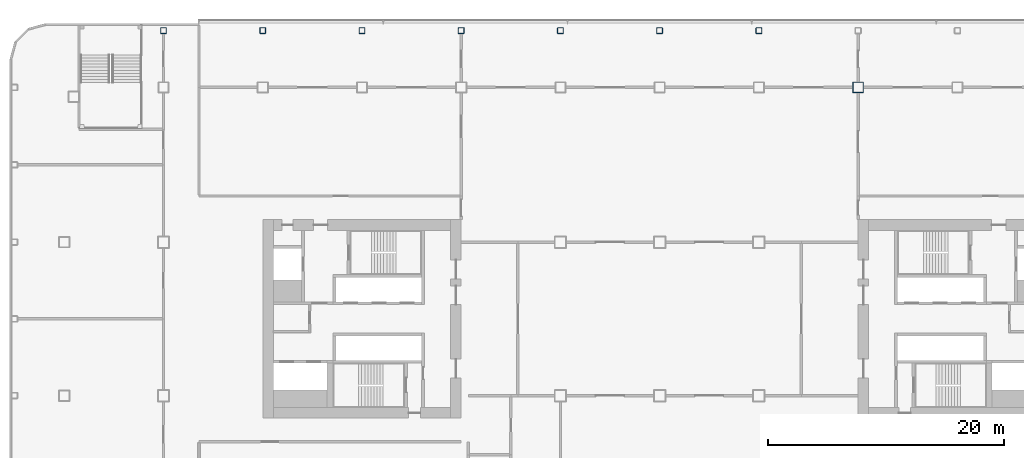
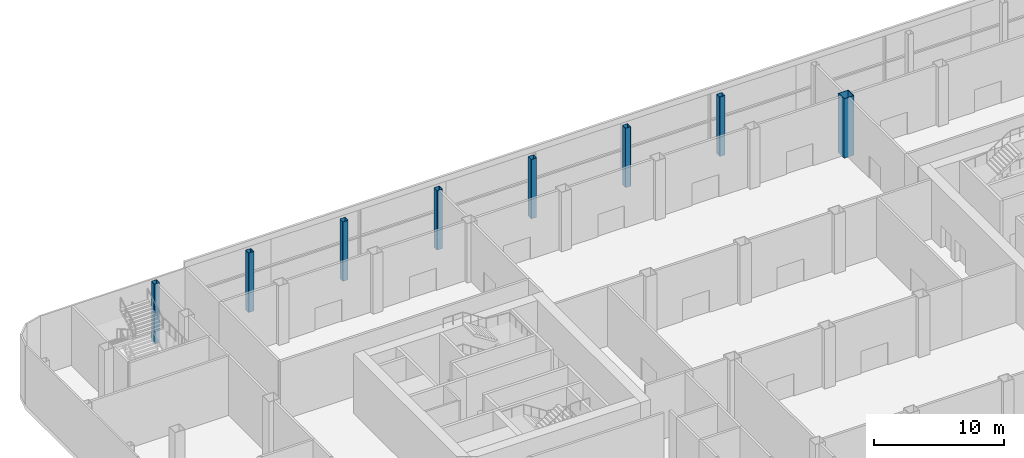
# One storey, part 5 of 100: 8 columns.
"""IFC4 building model written with IfcOpenShell, lengths in metres."""

from ifc_helpers import new_model, si_unit, direction, frame, origin, origin_2d, place, context, subcontext, project, spatial, hollow_rectangle, extrude, material, material_profile, profile_set, type_object, element, save


model = new_model("IFC4")

# Units and contexts
model_context = context("Model", 3, precision=1e-05, world=origin(), true_north=direction((0.0, 1.0)))
body_context = subcontext(model_context, "Body", "Model", "MODEL_VIEW")
ifc_project = project(units=[si_unit("LENGTHUNIT", "METRE"), si_unit("AREAUNIT", "SQUARE_METRE"), si_unit("VOLUMEUNIT", "CUBIC_METRE"), si_unit("PLANEANGLEUNIT", "RADIAN"), si_unit("MASSUNIT", "GRAM", prefix="KILO")], contexts=[model_context])

# Site, building, storey
site_placement = place(None, origin())
site = spatial("IfcSite", under=ifc_project, at=site_placement, CompositionType="ELEMENT")
building_placement = place(site_placement, origin())
building = spatial("IfcBuilding", under=site, at=building_placement, Name="Hakoniwa Tower and Hamabe Station Hall", CompositionType="ELEMENT")
storey_placement = place(building_placement, frame((0.0, 0.0, 9.0)))
storey = spatial("IfcBuildingStorey", under=building, at=storey_placement, Name="L02", CompositionType="ELEMENT", Elevation=9.0)

# Columns
ifc_material_1 = material(Name="Steel BCR295", Category="steel")
ifc_material_profile_1 = material_profile(ifc_material_1, hollow_rectangle(XDim=0.5, YDim=0.5, WallThickness=0.01904296875, InnerFilletRadius=0.028564453125, OuterFilletRadius=0.047607421875, at=origin_2d()), Name="BCR-500x500x19")
ifc_profile_set_1 = profile_set([ifc_material_profile_1], Name="Steel BCR295")
column_type_1 = type_object("IfcColumnType", Name="COLUMN BCR-500x500x19", PredefinedType="COLUMN", material=ifc_profile_set_1)
for number, where, z_axis, x_axis, name in (
    (1, (-42.0, 24.39990234375, 0.0), (0.0, 0.0, 1.0), (1.0, 0.0, 0.0), "Column P-2-RN"),
    (2, (-33.60009765625, 24.39990234375, 0.0), (0.0, 0.0, 1.0), (1.0, 0.0, 0.0), "Column P-3-RN"),
    (3, (-25.199951171875, 24.39990234375, 0.0), (0.0, 0.0, 1.0), (1.0, 0.0, 0.0), "Column P-4-RN"),
    (4, (-16.800048828125, 24.39990234375, 0.0), (0.0, 0.0, 1.0), (1.0, 0.0, 0.0), "Column P-5-RN"),
    (5, (-8.39990234375, 24.39990234375, 0.0), (0.0, 0.0, 1.0), (1.0, 0.0, 0.0), "Column P-6-RN"),
    (6, (0.0, 24.39990234375, 0.0), (0.0, 0.0, 1.0), (1.0, 0.0, 0.0), "Column P-7-RN"),
    (7, (8.39990234375, 24.39990234375, 0.0), (0.0, 0.0, 1.0), (1.0, 0.0, 0.0), "Column P-8-RN"),
):
    element("IfcColumn", number, at=place(storey_placement, frame(where, z_axis=z_axis, x_axis=x_axis)), inside=storey, type_object=column_type_1, Name=name, PredefinedType="COLUMN", context=body_context, shape_type="SweptSolid", body=[
        extrude(hollow_rectangle(XDim=0.5, YDim=0.5, WallThickness=0.01904296875, InnerFilletRadius=0.028564453125, OuterFilletRadius=0.047607421875, at=origin_2d()), origin(), (0.0, 0.0, 1.0), 5.60009765625),
    ])
ifc_material_2 = material(Name="Steel SN490C", Category="steel")
ifc_material_profile_2 = material_profile(ifc_material_2, hollow_rectangle(XDim=0.89990234375, YDim=0.89990234375, WallThickness=0.035888671875, at=origin_2d()), Name="BX-900x900x36")
ifc_profile_set_2 = profile_set([ifc_material_profile_2], Name="Steel SN490C")
column_type_2 = type_object("IfcColumnType", Name="COLUMN BX-900x900x36", PredefinedType="COLUMN", material=ifc_profile_set_2)
column_placement = place(storey_placement, frame((16.800048828125, 19.60009765625, 0.0), z_axis=(0.0, 0.0, 1.0), x_axis=(1.0, 0.0, 0.0)))
element("IfcColumn", 8, at=column_placement, inside=storey, type_object=column_type_2, Name="Column P-9-G1", PredefinedType="COLUMN", context=body_context, shape_type="SweptSolid", body=[
    extrude(hollow_rectangle(XDim=0.89990234375, YDim=0.89990234375, WallThickness=0.035888671875, at=origin_2d()), origin(), (0.0, 0.0, 1.0), 5.60009765625),
])

save(model, "model.ifc")
